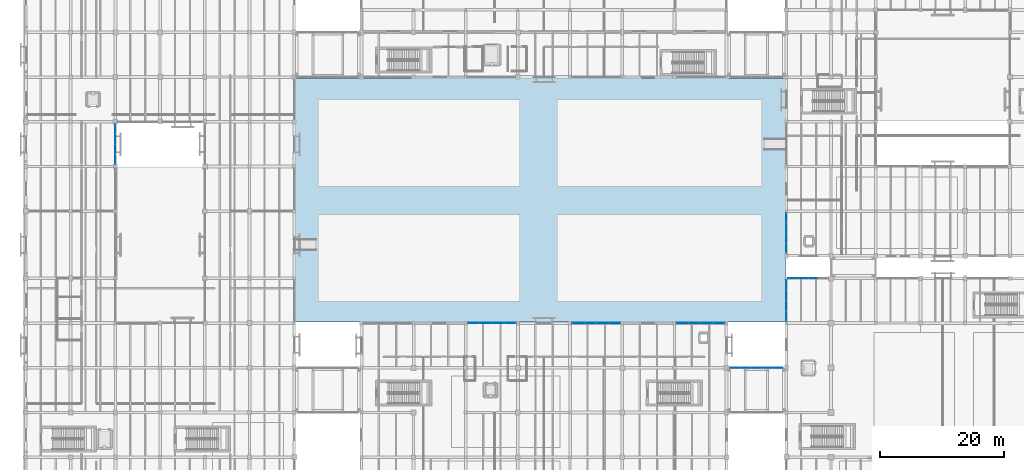
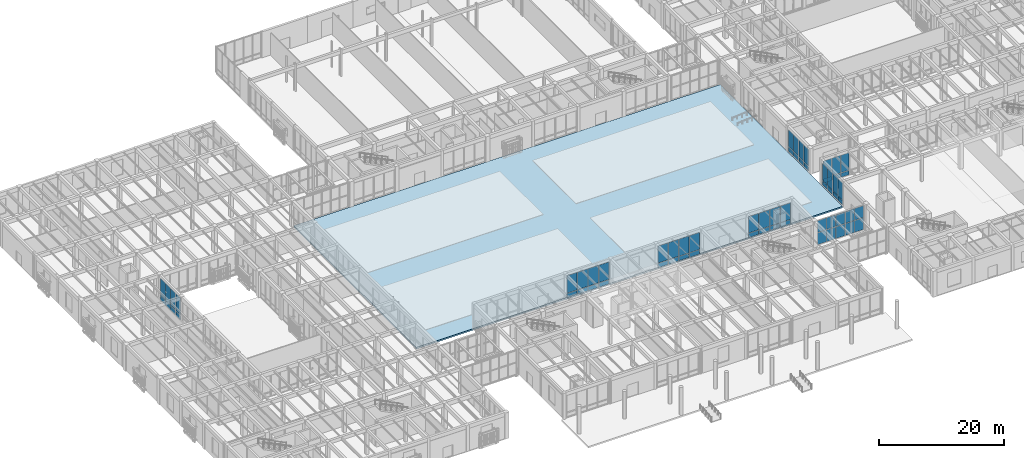
# One storey, part 112 of 169: 64 plates, 1 slab, 8 elements without a shape of their own.
"""IFC4 building model written with IfcOpenShell, lengths in metres."""

from ifc_helpers import new_model, si_unit, direction, frame, origin, origin_2d, place, context, subcontext, project, spatial, polyline, rectangle, outline, extrude, material, layer, layer_set, type_object, element, aggregate, save


model = new_model("IFC4")

# Units and contexts
model_context = context("Model", 3, precision=1e-05, world=origin(), true_north=direction((0.0, 1.0)))
body_context = subcontext(model_context, "Body", "Model", "MODEL_VIEW")
ifc_project = project(units=[si_unit("LENGTHUNIT", "METRE"), si_unit("AREAUNIT", "SQUARE_METRE"), si_unit("VOLUMEUNIT", "CUBIC_METRE"), si_unit("PLANEANGLEUNIT", "RADIAN"), si_unit("MASSUNIT", "GRAM", prefix="KILO")], contexts=[model_context])

# Site, building, storey
site_placement = place(None, origin())
site = spatial("IfcSite", under=ifc_project, at=site_placement, CompositionType="ELEMENT")
building_placement = place(site_placement, origin())
building = spatial("IfcBuilding", under=site, at=building_placement, Name="Mazaris Harbour Polytechnic", CompositionType="ELEMENT")
storey_placement = place(building_placement, origin())
storey = spatial("IfcBuildingStorey", under=building, at=storey_placement, Name="L00", CompositionType="ELEMENT", Elevation=0.0)

# Curtain wall, plates
ifc_material_1 = material(Name="Anodised Bronze Aluminium and Low-E Glass", Category="aluminium")
ifc_layer_1 = layer(ifc_material_1, 0.159912109375, Name="Anodised Bronze Aluminium and Low-E Glass")
ifc_layer_set_1 = layer_set([ifc_layer_1], Name="Anodised Bronze Aluminium and Low-E Glass")
curtain_wall_type_1 = type_object("IfcCurtainWallType", Name="Cloister Court Curtain Wall", PredefinedType="NOTDEFINED", material=ifc_layer_set_1)
curtain_wall_1_placement = place(storey_placement, origin())
curtain_wall_1 = element("IfcCurtainWall", 1, at=curtain_wall_1_placement, inside=storey, type_object=curtain_wall_type_1, Name="V2 L00 Curtain Wall 37", PredefinedType="NOTDEFINED")
ifc_material_2 = material(Name="Low-E Double Glazing", Category="glass")
ifc_layer_2 = layer(ifc_material_2, 0.028076171875, Name="Low-E Double Glazing")
ifc_layer_set_2 = layer_set([ifc_layer_2], Name="Low-E Double Glazing")
plate_type_1 = type_object("IfcPlateType", Name="Low-E Vision Glass Panel 28", PredefinedType="CURTAIN_PANEL", material=ifc_layer_set_2)
plate_1_placement = place(storey_placement, frame((123.482666015625, 43.199951171875, 0.080078125), z_axis=(0.0, 0.0, 1.0), x_axis=(1.0, 0.0, 0.0)))
plate_1 = element("IfcPlate", 2, at=plate_1_placement, type_object=plate_type_1, Name="CW-02 panel 1.1", PredefinedType="CURTAIN_PANEL", context=body_context, shape_type="SweptSolid", body=[
    extrude(rectangle(XDim=1.521484375, YDim=0.028076171875, at=origin_2d()), origin(), (0.0, 0.0, 1.0), 0.830078125),
])
plate_2_placement = place(storey_placement, frame((123.482666015625, 43.199951171875, 0.989990234375), z_axis=(0.0, 0.0, 1.0), x_axis=(1.0, 0.0, 0.0)))
plate_2 = element("IfcPlate", 3, at=plate_2_placement, type_object=plate_type_1, Name="CW-02 panel 1.2", PredefinedType="CURTAIN_PANEL", context=body_context, shape_type="SweptSolid", body=[
    extrude(rectangle(XDim=1.521484375, YDim=0.028076171875, at=origin_2d()), origin(), (0.0, 0.0, 1.0), 3.419921875),
])
plate_3_placement = place(storey_placement, frame((125.104248046875, 43.199951171875, 0.080078125), z_axis=(0.0, 0.0, 1.0), x_axis=(1.0, 0.0, 0.0)))
plate_3 = element("IfcPlate", 4, at=plate_3_placement, type_object=plate_type_1, Name="CW-02 panel 2.1", PredefinedType="CURTAIN_PANEL", context=body_context, shape_type="SweptSolid", body=[
    extrude(rectangle(XDim=1.5615234375, YDim=0.028076171875, at=origin_2d()), origin(), (0.0, 0.0, 1.0), 0.830078125),
])
plate_4_placement = place(storey_placement, frame((125.104248046875, 43.199951171875, 0.989990234375), z_axis=(0.0, 0.0, 1.0), x_axis=(1.0, 0.0, 0.0)))
plate_4 = element("IfcPlate", 5, at=plate_4_placement, type_object=plate_type_1, Name="CW-02 panel 2.2", PredefinedType="CURTAIN_PANEL", context=body_context, shape_type="SweptSolid", body=[
    extrude(rectangle(XDim=1.5615234375, YDim=0.028076171875, at=origin_2d()), origin(), (0.0, 0.0, 1.0), 3.419921875),
])
plate_5_placement = place(storey_placement, frame((126.745849609375, 43.199951171875, 0.080078125), z_axis=(0.0, 0.0, 1.0), x_axis=(1.0, 0.0, 0.0)))
plate_5 = element("IfcPlate", 6, at=plate_5_placement, type_object=plate_type_1, Name="CW-02 panel 3.1", PredefinedType="CURTAIN_PANEL", context=body_context, shape_type="SweptSolid", body=[
    extrude(rectangle(XDim=1.5615234375, YDim=0.028076171875, at=origin_2d()), origin(), (0.0, 0.0, 1.0), 0.830078125),
])
plate_6_placement = place(storey_placement, frame((126.745849609375, 43.199951171875, 0.989990234375), z_axis=(0.0, 0.0, 1.0), x_axis=(1.0, 0.0, 0.0)))
plate_6 = element("IfcPlate", 7, at=plate_6_placement, type_object=plate_type_1, Name="CW-02 panel 3.2", PredefinedType="CURTAIN_PANEL", context=body_context, shape_type="SweptSolid", body=[
    extrude(rectangle(XDim=1.5615234375, YDim=0.028076171875, at=origin_2d()), origin(), (0.0, 0.0, 1.0), 3.419921875),
])
aggregate(curtain_wall_1, [plate_1, plate_2, plate_3, plate_4, plate_5, plate_6])

curtain_wall_2_placement = place(storey_placement, origin())
curtain_wall_2 = element("IfcCurtainWall", 8, at=curtain_wall_2_placement, inside=storey, type_object=curtain_wall_type_1, Name="V2 L00 Curtain Wall 42", PredefinedType="NOTDEFINED")
plate_7_placement = place(storey_placement, frame((122.39990234375, 37.07958984375, 0.080078125), z_axis=(0.0, 0.0, 1.0), x_axis=(0.0, 1.0, 0.0)))
plate_7 = element("IfcPlate", 9, at=plate_7_placement, type_object=plate_type_1, Name="CW-02 panel 1.1", PredefinedType="CURTAIN_PANEL", context=body_context, shape_type="SweptSolid", body=[
    extrude(rectangle(XDim=1.565185546875, YDim=0.028076171875, at=origin_2d()), origin(), (0.0, 0.0, 1.0), 0.830078125),
])
plate_8_placement = place(storey_placement, frame((122.39990234375, 37.07958984375, 0.989990234375), z_axis=(0.0, 0.0, 1.0), x_axis=(0.0, 1.0, 0.0)))
plate_8 = element("IfcPlate", 10, at=plate_8_placement, type_object=plate_type_1, Name="CW-02 panel 1.2", PredefinedType="CURTAIN_PANEL", context=body_context, shape_type="SweptSolid", body=[
    extrude(rectangle(XDim=1.565185546875, YDim=0.028076171875, at=origin_2d()), origin(), (0.0, 0.0, 1.0), 3.3701171875),
])
plate_9_placement = place(storey_placement, frame((122.39990234375, 38.744873046875, 0.080078125), z_axis=(0.0, 0.0, 1.0), x_axis=(0.0, 1.0, 0.0)))
plate_9 = element("IfcPlate", 11, at=plate_9_placement, type_object=plate_type_1, Name="CW-02 panel 2.1", PredefinedType="CURTAIN_PANEL", context=body_context, shape_type="SweptSolid", body=[
    extrude(rectangle(XDim=1.605224609375, YDim=0.028076171875, at=origin_2d()), origin(), (0.0, 0.0, 1.0), 0.830078125),
])
plate_10_placement = place(storey_placement, frame((122.39990234375, 38.744873046875, 0.989990234375), z_axis=(0.0, 0.0, 1.0), x_axis=(0.0, 1.0, 0.0)))
plate_10 = element("IfcPlate", 12, at=plate_10_placement, type_object=plate_type_1, Name="CW-02 panel 2.2", PredefinedType="CURTAIN_PANEL", context=body_context, shape_type="SweptSolid", body=[
    extrude(rectangle(XDim=1.605224609375, YDim=0.028076171875, at=origin_2d()), origin(), (0.0, 0.0, 1.0), 3.3701171875),
])
plate_11_placement = place(storey_placement, frame((122.39990234375, 40.43017578125, 0.080078125), z_axis=(0.0, 0.0, 1.0), x_axis=(0.0, 1.0, 0.0)))
plate_11 = element("IfcPlate", 13, at=plate_11_placement, type_object=plate_type_1, Name="CW-02 panel 3.1", PredefinedType="CURTAIN_PANEL", context=body_context, shape_type="SweptSolid", body=[
    extrude(rectangle(XDim=1.605224609375, YDim=0.028076171875, at=origin_2d()), origin(), (0.0, 0.0, 1.0), 0.830078125),
])
plate_12_placement = place(storey_placement, frame((122.39990234375, 40.43017578125, 0.989990234375), z_axis=(0.0, 0.0, 1.0), x_axis=(0.0, 1.0, 0.0)))
plate_12 = element("IfcPlate", 14, at=plate_12_placement, type_object=plate_type_1, Name="CW-02 panel 3.2", PredefinedType="CURTAIN_PANEL", context=body_context, shape_type="SweptSolid", body=[
    extrude(rectangle(XDim=1.605224609375, YDim=0.028076171875, at=origin_2d()), origin(), (0.0, 0.0, 1.0), 3.3701171875),
])
plate_13_placement = place(storey_placement, frame((122.39990234375, 42.095458984375, 0.080078125), z_axis=(0.0, 0.0, 1.0), x_axis=(0.0, 1.0, 0.0)))
plate_13 = element("IfcPlate", 15, at=plate_13_placement, type_object=plate_type_1, Name="CW-02 panel 4.1", PredefinedType="CURTAIN_PANEL", context=body_context, shape_type="SweptSolid", body=[
    extrude(rectangle(XDim=1.565185546875, YDim=0.028076171875, at=origin_2d()), origin(), (0.0, 0.0, 1.0), 0.830078125),
])
plate_14_placement = place(storey_placement, frame((122.39990234375, 42.095458984375, 0.989990234375), z_axis=(0.0, 0.0, 1.0), x_axis=(0.0, 1.0, 0.0)))
plate_14 = element("IfcPlate", 16, at=plate_14_placement, type_object=plate_type_1, Name="CW-02 panel 4.2", PredefinedType="CURTAIN_PANEL", context=body_context, shape_type="SweptSolid", body=[
    extrude(rectangle(XDim=1.565185546875, YDim=0.028076171875, at=origin_2d()), origin(), (0.0, 0.0, 1.0), 3.3701171875),
])
aggregate(curtain_wall_2, [plate_7, plate_8, plate_9, plate_10, plate_11, plate_12, plate_13, plate_14])

curtain_wall_3_placement = place(storey_placement, origin())
curtain_wall_3 = element("IfcCurtainWall", 17, at=curtain_wall_3_placement, inside=storey, type_object=curtain_wall_type_1, Name="V3 L00 Curtain Wall 65", PredefinedType="NOTDEFINED")
plate_15_placement = place(storey_placement, frame((72.09521484375, 36.0, 0.080078125), z_axis=(0.0, 0.0, 1.0), x_axis=(1.0, 0.0, 0.0)))
plate_15 = element("IfcPlate", 18, at=plate_15_placement, type_object=plate_type_1, Name="CW-02 panel 1.1", PredefinedType="CURTAIN_PANEL", context=body_context, shape_type="SweptSolid", body=[
    extrude(rectangle(XDim=1.846435546875, YDim=0.028076171875, at=origin_2d()), origin(), (0.0, 0.0, 1.0), 0.830078125),
])
plate_16_placement = place(storey_placement, frame((72.09521484375, 36.0, 0.989990234375), z_axis=(0.0, 0.0, 1.0), x_axis=(1.0, 0.0, 0.0)))
plate_16 = element("IfcPlate", 19, at=plate_16_placement, type_object=plate_type_1, Name="CW-02 panel 1.2", PredefinedType="CURTAIN_PANEL", context=body_context, shape_type="SweptSolid", body=[
    extrude(rectangle(XDim=1.846435546875, YDim=0.028076171875, at=origin_2d()), origin(), (0.0, 0.0, 1.0), 3.419921875),
])
plate_17_placement = place(storey_placement, frame((74.041748046875, 36.0, 0.080078125), z_axis=(0.0, 0.0, 1.0), x_axis=(1.0, 0.0, 0.0)))
plate_17 = element("IfcPlate", 20, at=plate_17_placement, type_object=plate_type_1, Name="CW-02 panel 2.1", PredefinedType="CURTAIN_PANEL", context=body_context, shape_type="SweptSolid", body=[
    extrude(rectangle(XDim=1.886474609375, YDim=0.028076171875, at=origin_2d()), origin(), (0.0, 0.0, 1.0), 0.830078125),
])
plate_18_placement = place(storey_placement, frame((74.041748046875, 36.0, 0.989990234375), z_axis=(0.0, 0.0, 1.0), x_axis=(1.0, 0.0, 0.0)))
plate_18 = element("IfcPlate", 21, at=plate_18_placement, type_object=plate_type_1, Name="CW-02 panel 2.2", PredefinedType="CURTAIN_PANEL", context=body_context, shape_type="SweptSolid", body=[
    extrude(rectangle(XDim=1.886474609375, YDim=0.028076171875, at=origin_2d()), origin(), (0.0, 0.0, 1.0), 3.419921875),
])
plate_19_placement = place(storey_placement, frame((76.00830078125, 36.0, 0.080078125), z_axis=(0.0, 0.0, 1.0), x_axis=(1.0, 0.0, 0.0)))
plate_19 = element("IfcPlate", 22, at=plate_19_placement, type_object=plate_type_1, Name="CW-02 panel 3.1", PredefinedType="CURTAIN_PANEL", context=body_context, shape_type="SweptSolid", body=[
    extrude(rectangle(XDim=1.886474609375, YDim=0.028076171875, at=origin_2d()), origin(), (0.0, 0.0, 1.0), 0.830078125),
])
plate_20_placement = place(storey_placement, frame((76.00830078125, 36.0, 0.989990234375), z_axis=(0.0, 0.0, 1.0), x_axis=(1.0, 0.0, 0.0)))
plate_20 = element("IfcPlate", 23, at=plate_20_placement, type_object=plate_type_1, Name="CW-02 panel 3.2", PredefinedType="CURTAIN_PANEL", context=body_context, shape_type="SweptSolid", body=[
    extrude(rectangle(XDim=1.886474609375, YDim=0.028076171875, at=origin_2d()), origin(), (0.0, 0.0, 1.0), 3.419921875),
])
plate_21_placement = place(storey_placement, frame((77.954833984375, 36.0, 0.080078125), z_axis=(0.0, 0.0, 1.0), x_axis=(1.0, 0.0, 0.0)))
plate_21 = element("IfcPlate", 24, at=plate_21_placement, type_object=plate_type_1, Name="CW-02 panel 4.1", PredefinedType="CURTAIN_PANEL", context=body_context, shape_type="SweptSolid", body=[
    extrude(rectangle(XDim=1.846435546875, YDim=0.028076171875, at=origin_2d()), origin(), (0.0, 0.0, 1.0), 0.830078125),
])
plate_22_placement = place(storey_placement, frame((77.954833984375, 36.0, 0.989990234375), z_axis=(0.0, 0.0, 1.0), x_axis=(1.0, 0.0, 0.0)))
plate_22 = element("IfcPlate", 25, at=plate_22_placement, type_object=plate_type_1, Name="CW-02 panel 4.2", PredefinedType="CURTAIN_PANEL", context=body_context, shape_type="SweptSolid", body=[
    extrude(rectangle(XDim=1.846435546875, YDim=0.028076171875, at=origin_2d()), origin(), (0.0, 0.0, 1.0), 3.419921875),
])
aggregate(curtain_wall_3, [plate_15, plate_16, plate_17, plate_18, plate_19, plate_20, plate_21, plate_22])

curtain_wall_4_placement = place(storey_placement, origin())
curtain_wall_4 = element("IfcCurtainWall", 26, at=curtain_wall_4_placement, inside=storey, type_object=curtain_wall_type_1, Name="V3 L00 Curtain Wall 66", PredefinedType="NOTDEFINED")
plate_23_placement = place(storey_placement, frame((88.895263671875, 36.0, 0.080078125), z_axis=(0.0, 0.0, 1.0), x_axis=(1.0, 0.0, 0.0)))
plate_23 = element("IfcPlate", 27, at=plate_23_placement, type_object=plate_type_1, Name="CW-02 panel 1.1", PredefinedType="CURTAIN_PANEL", context=body_context, shape_type="SweptSolid", body=[
    extrude(rectangle(XDim=1.846435546875, YDim=0.028076171875, at=origin_2d()), origin(), (0.0, 0.0, 1.0), 0.830078125),
])
plate_24_placement = place(storey_placement, frame((88.895263671875, 36.0, 0.98974609375), z_axis=(0.0, 0.0, 1.0), x_axis=(1.0, 0.0, 0.0)))
plate_24 = element("IfcPlate", 28, at=plate_24_placement, type_object=plate_type_1, Name="CW-02 panel 1.2", PredefinedType="CURTAIN_PANEL", context=body_context, shape_type="SweptSolid", body=[
    extrude(rectangle(XDim=1.846435546875, YDim=0.028076171875, at=origin_2d()), origin(), (0.0, 0.0, 1.0), 3.320068359375),
])
plate_25_placement = place(storey_placement, frame((90.841796875, 36.0, 0.080078125), z_axis=(0.0, 0.0, 1.0), x_axis=(1.0, 0.0, 0.0)))
plate_25 = element("IfcPlate", 29, at=plate_25_placement, type_object=plate_type_1, Name="CW-02 panel 2.1", PredefinedType="CURTAIN_PANEL", context=body_context, shape_type="SweptSolid", body=[
    extrude(rectangle(XDim=1.886474609375, YDim=0.028076171875, at=origin_2d()), origin(), (0.0, 0.0, 1.0), 0.830078125),
])
plate_26_placement = place(storey_placement, frame((90.841796875, 36.0, 0.98974609375), z_axis=(0.0, 0.0, 1.0), x_axis=(1.0, 0.0, 0.0)))
plate_26 = element("IfcPlate", 30, at=plate_26_placement, type_object=plate_type_1, Name="CW-02 panel 2.2", PredefinedType="CURTAIN_PANEL", context=body_context, shape_type="SweptSolid", body=[
    extrude(rectangle(XDim=1.886474609375, YDim=0.028076171875, at=origin_2d()), origin(), (0.0, 0.0, 1.0), 3.320068359375),
])
plate_27_placement = place(storey_placement, frame((92.808349609375, 36.0, 0.080078125), z_axis=(0.0, 0.0, 1.0), x_axis=(1.0, 0.0, 0.0)))
plate_27 = element("IfcPlate", 31, at=plate_27_placement, type_object=plate_type_1, Name="CW-02 panel 3.1", PredefinedType="CURTAIN_PANEL", context=body_context, shape_type="SweptSolid", body=[
    extrude(rectangle(XDim=1.886474609375, YDim=0.028076171875, at=origin_2d()), origin(), (0.0, 0.0, 1.0), 0.830078125),
])
plate_28_placement = place(storey_placement, frame((92.808349609375, 36.0, 0.98974609375), z_axis=(0.0, 0.0, 1.0), x_axis=(1.0, 0.0, 0.0)))
plate_28 = element("IfcPlate", 32, at=plate_28_placement, type_object=plate_type_1, Name="CW-02 panel 3.2", PredefinedType="CURTAIN_PANEL", context=body_context, shape_type="SweptSolid", body=[
    extrude(rectangle(XDim=1.886474609375, YDim=0.028076171875, at=origin_2d()), origin(), (0.0, 0.0, 1.0), 3.320068359375),
])
plate_29_placement = place(storey_placement, frame((94.754638671875, 36.0, 0.080078125), z_axis=(0.0, 0.0, 1.0), x_axis=(1.0, 0.0, 0.0)))
plate_29 = element("IfcPlate", 33, at=plate_29_placement, type_object=plate_type_1, Name="CW-02 panel 4.1", PredefinedType="CURTAIN_PANEL", context=body_context, shape_type="SweptSolid", body=[
    extrude(rectangle(XDim=1.846435546875, YDim=0.028076171875, at=origin_2d()), origin(), (0.0, 0.0, 1.0), 0.830078125),
])
plate_30_placement = place(storey_placement, frame((94.754638671875, 36.0, 0.98974609375), z_axis=(0.0, 0.0, 1.0), x_axis=(1.0, 0.0, 0.0)))
plate_30 = element("IfcPlate", 34, at=plate_30_placement, type_object=plate_type_1, Name="CW-02 panel 4.2", PredefinedType="CURTAIN_PANEL", context=body_context, shape_type="SweptSolid", body=[
    extrude(rectangle(XDim=1.846435546875, YDim=0.028076171875, at=origin_2d()), origin(), (0.0, 0.0, 1.0), 3.320068359375),
])
aggregate(curtain_wall_4, [plate_23, plate_24, plate_25, plate_26, plate_27, plate_28, plate_29, plate_30])

curtain_wall_5_placement = place(storey_placement, origin())
curtain_wall_5 = element("IfcCurtainWall", 35, at=curtain_wall_5_placement, inside=storey, type_object=curtain_wall_type_1, Name="V3 L00 Curtain Wall 67", PredefinedType="NOTDEFINED")
plate_31_placement = place(storey_placement, frame((105.6953125, 36.0, 0.080078125), z_axis=(0.0, 0.0, 1.0), x_axis=(1.0, 0.0, 0.0)))
plate_31 = element("IfcPlate", 36, at=plate_31_placement, type_object=plate_type_1, Name="CW-02 panel 1.1", PredefinedType="CURTAIN_PANEL", context=body_context, shape_type="SweptSolid", body=[
    extrude(rectangle(XDim=1.846435546875, YDim=0.028076171875, at=origin_2d()), origin(), (0.0, 0.0, 1.0), 0.830078125),
])
plate_32_placement = place(storey_placement, frame((105.6953125, 36.0, 0.990234375), z_axis=(0.0, 0.0, 1.0), x_axis=(1.0, 0.0, 0.0)))
plate_32 = element("IfcPlate", 37, at=plate_32_placement, type_object=plate_type_1, Name="CW-02 panel 1.2", PredefinedType="CURTAIN_PANEL", context=body_context, shape_type="SweptSolid", body=[
    extrude(rectangle(XDim=1.846435546875, YDim=0.028076171875, at=origin_2d()), origin(), (0.0, 0.0, 1.0), 3.219970703125),
])
plate_33_placement = place(storey_placement, frame((107.641845703125, 36.0, 0.080078125), z_axis=(0.0, 0.0, 1.0), x_axis=(1.0, 0.0, 0.0)))
plate_33 = element("IfcPlate", 38, at=plate_33_placement, type_object=plate_type_1, Name="CW-02 panel 2.1", PredefinedType="CURTAIN_PANEL", context=body_context, shape_type="SweptSolid", body=[
    extrude(rectangle(XDim=1.886474609375, YDim=0.028076171875, at=origin_2d()), origin(), (0.0, 0.0, 1.0), 0.830078125),
])
plate_34_placement = place(storey_placement, frame((107.641845703125, 36.0, 0.990234375), z_axis=(0.0, 0.0, 1.0), x_axis=(1.0, 0.0, 0.0)))
plate_34 = element("IfcPlate", 39, at=plate_34_placement, type_object=plate_type_1, Name="CW-02 panel 2.2", PredefinedType="CURTAIN_PANEL", context=body_context, shape_type="SweptSolid", body=[
    extrude(rectangle(XDim=1.886474609375, YDim=0.028076171875, at=origin_2d()), origin(), (0.0, 0.0, 1.0), 3.219970703125),
])
plate_35_placement = place(storey_placement, frame((109.608154296875, 36.0, 0.080078125), z_axis=(0.0, 0.0, 1.0), x_axis=(1.0, 0.0, 0.0)))
plate_35 = element("IfcPlate", 40, at=plate_35_placement, type_object=plate_type_1, Name="CW-02 panel 3.1", PredefinedType="CURTAIN_PANEL", context=body_context, shape_type="SweptSolid", body=[
    extrude(rectangle(XDim=1.886474609375, YDim=0.028076171875, at=origin_2d()), origin(), (0.0, 0.0, 1.0), 0.830078125),
])
plate_36_placement = place(storey_placement, frame((109.608154296875, 36.0, 0.990234375), z_axis=(0.0, 0.0, 1.0), x_axis=(1.0, 0.0, 0.0)))
plate_36 = element("IfcPlate", 41, at=plate_36_placement, type_object=plate_type_1, Name="CW-02 panel 3.2", PredefinedType="CURTAIN_PANEL", context=body_context, shape_type="SweptSolid", body=[
    extrude(rectangle(XDim=1.886474609375, YDim=0.028076171875, at=origin_2d()), origin(), (0.0, 0.0, 1.0), 3.219970703125),
])
plate_37_placement = place(storey_placement, frame((111.5546875, 36.0, 0.080078125), z_axis=(0.0, 0.0, 1.0), x_axis=(1.0, 0.0, 0.0)))
plate_37 = element("IfcPlate", 42, at=plate_37_placement, type_object=plate_type_1, Name="CW-02 panel 4.1", PredefinedType="CURTAIN_PANEL", context=body_context, shape_type="SweptSolid", body=[
    extrude(rectangle(XDim=1.846435546875, YDim=0.028076171875, at=origin_2d()), origin(), (0.0, 0.0, 1.0), 0.830078125),
])
plate_38_placement = place(storey_placement, frame((111.5546875, 36.0, 0.990234375), z_axis=(0.0, 0.0, 1.0), x_axis=(1.0, 0.0, 0.0)))
plate_38 = element("IfcPlate", 43, at=plate_38_placement, type_object=plate_type_1, Name="CW-02 panel 4.2", PredefinedType="CURTAIN_PANEL", context=body_context, shape_type="SweptSolid", body=[
    extrude(rectangle(XDim=1.846435546875, YDim=0.028076171875, at=origin_2d()), origin(), (0.0, 0.0, 1.0), 3.219970703125),
])
aggregate(curtain_wall_5, [plate_31, plate_32, plate_33, plate_34, plate_35, plate_36, plate_37, plate_38])

curtain_wall_6_placement = place(storey_placement, origin())
curtain_wall_6 = element("IfcCurtainWall", 44, at=curtain_wall_6_placement, inside=storey, type_object=curtain_wall_type_1, Name="V4 L00 Curtain Wall 106", PredefinedType="NOTDEFINED")
plate_39_placement = place(storey_placement, frame((14.39990234375, 62.354736328125, 0.080078125), z_axis=(0.0, 0.0, 1.0), x_axis=(0.0, 1.0, 0.0)))
plate_39 = element("IfcPlate", 45, at=plate_39_placement, type_object=plate_type_1, Name="CW-02 panel 1.1", PredefinedType="CURTAIN_PANEL", context=body_context, shape_type="SweptSolid", body=[
    extrude(rectangle(XDim=1.51513671875, YDim=0.028076171875, at=origin_2d()), origin(), (0.0, 0.0, 1.0), 0.830078125),
])
plate_40_placement = place(storey_placement, frame((14.39990234375, 62.354736328125, 0.989990234375), z_axis=(0.0, 0.0, 1.0), x_axis=(0.0, 1.0, 0.0)))
plate_40 = element("IfcPlate", 46, at=plate_40_placement, type_object=plate_type_1, Name="CW-02 panel 1.2", PredefinedType="CURTAIN_PANEL", context=body_context, shape_type="SweptSolid", body=[
    extrude(rectangle(XDim=1.51513671875, YDim=0.028076171875, at=origin_2d()), origin(), (0.0, 0.0, 1.0), 3.419921875),
])
plate_41_placement = place(storey_placement, frame((14.39990234375, 63.969970703125, 0.080078125), z_axis=(0.0, 0.0, 1.0), x_axis=(0.0, 1.0, 0.0)))
plate_41 = element("IfcPlate", 47, at=plate_41_placement, type_object=plate_type_1, Name="CW-02 panel 2.1", PredefinedType="CURTAIN_PANEL", context=body_context, shape_type="SweptSolid", body=[
    extrude(rectangle(XDim=1.55517578125, YDim=0.028076171875, at=origin_2d()), origin(), (0.0, 0.0, 1.0), 0.830078125),
])
plate_42_placement = place(storey_placement, frame((14.39990234375, 63.969970703125, 0.989990234375), z_axis=(0.0, 0.0, 1.0), x_axis=(0.0, 1.0, 0.0)))
plate_42 = element("IfcPlate", 48, at=plate_42_placement, type_object=plate_type_1, Name="CW-02 panel 2.2", PredefinedType="CURTAIN_PANEL", context=body_context, shape_type="SweptSolid", body=[
    extrude(rectangle(XDim=1.55517578125, YDim=0.028076171875, at=origin_2d()), origin(), (0.0, 0.0, 1.0), 3.419921875),
])
plate_43_placement = place(storey_placement, frame((14.39990234375, 65.605224609375, 0.080078125), z_axis=(0.0, 0.0, 1.0), x_axis=(0.0, 1.0, 0.0)))
plate_43 = element("IfcPlate", 49, at=plate_43_placement, type_object=plate_type_1, Name="CW-02 panel 3.1", PredefinedType="CURTAIN_PANEL", context=body_context, shape_type="SweptSolid", body=[
    extrude(rectangle(XDim=1.55517578125, YDim=0.028076171875, at=origin_2d()), origin(), (0.0, 0.0, 1.0), 0.830078125),
])
plate_44_placement = place(storey_placement, frame((14.39990234375, 65.605224609375, 0.989990234375), z_axis=(0.0, 0.0, 1.0), x_axis=(0.0, 1.0, 0.0)))
plate_44 = element("IfcPlate", 50, at=plate_44_placement, type_object=plate_type_1, Name="CW-02 panel 3.2", PredefinedType="CURTAIN_PANEL", context=body_context, shape_type="SweptSolid", body=[
    extrude(rectangle(XDim=1.55517578125, YDim=0.028076171875, at=origin_2d()), origin(), (0.0, 0.0, 1.0), 3.419921875),
])
plate_45_placement = place(storey_placement, frame((14.39990234375, 67.220458984375, 0.080078125), z_axis=(0.0, 0.0, 1.0), x_axis=(0.0, 1.0, 0.0)))
plate_45 = element("IfcPlate", 51, at=plate_45_placement, type_object=plate_type_1, Name="CW-02 panel 4.1", PredefinedType="CURTAIN_PANEL", context=body_context, shape_type="SweptSolid", body=[
    extrude(rectangle(XDim=1.51513671875, YDim=0.028076171875, at=origin_2d()), origin(), (0.0, 0.0, 1.0), 0.830078125),
])
plate_46_placement = place(storey_placement, frame((14.39990234375, 67.220458984375, 0.989990234375), z_axis=(0.0, 0.0, 1.0), x_axis=(0.0, 1.0, 0.0)))
plate_46 = element("IfcPlate", 52, at=plate_46_placement, type_object=plate_type_1, Name="CW-02 panel 4.2", PredefinedType="CURTAIN_PANEL", context=body_context, shape_type="SweptSolid", body=[
    extrude(rectangle(XDim=1.51513671875, YDim=0.028076171875, at=origin_2d()), origin(), (0.0, 0.0, 1.0), 3.419921875),
])
aggregate(curtain_wall_6, [plate_39, plate_40, plate_41, plate_42, plate_43, plate_44, plate_45, plate_46])

ifc_material_3 = material(Name="Anodised Bronze Aluminium and Low-E Glass", Category="aluminium")
ifc_layer_3 = layer(ifc_material_3, 0.139892578125, Name="Anodised Bronze Aluminium and Low-E Glass")
ifc_layer_set_3 = layer_set([ifc_layer_3], Name="Anodised Bronze Aluminium and Low-E Glass")
curtain_wall_type_2 = type_object("IfcCurtainWallType", Name="Seismic Link Bridge Glazing", PredefinedType="NOTDEFINED", material=ifc_layer_set_3)
curtain_wall_7_placement = place(storey_placement, origin())
curtain_wall_7 = element("IfcCurtainWall", 53, at=curtain_wall_7_placement, inside=storey, type_object=curtain_wall_type_2, Name="PB-E1 L00 Bridge Glazing", PredefinedType="NOTDEFINED")
plate_47_placement = place(storey_placement, frame((121.035888671875, 28.800048828125, 0.080078125), z_axis=(0.0, 0.0, 1.0), x_axis=(-1.0, 0.0, 0.0)))
plate_47 = element("IfcPlate", 54, at=plate_47_placement, type_object=plate_type_1, Name="CW-05 panel 1.1", PredefinedType="CURTAIN_PANEL", context=body_context, shape_type="SweptSolid", body=[
    extrude(rectangle(XDim=1.60791015625, YDim=0.028076171875, at=origin_2d()), origin(), (0.0, 0.0, 1.0), 2.297607421875),
])
plate_48_placement = place(storey_placement, frame((121.035888671875, 28.800048828125, 2.45751953125), z_axis=(0.0, 0.0, 1.0), x_axis=(-1.0, 0.0, 0.0)))
plate_48 = element("IfcPlate", 55, at=plate_48_placement, type_object=plate_type_1, Name="CW-05 panel 1.2", PredefinedType="CURTAIN_PANEL", context=body_context, shape_type="SweptSolid", body=[
    extrude(rectangle(XDim=1.60791015625, YDim=0.028076171875, at=origin_2d()), origin(), (0.0, 0.0, 1.0), 2.297607421875),
])
plate_49_placement = place(storey_placement, frame((119.327880859375, 28.800048828125, 0.080078125), z_axis=(0.0, 0.0, 1.0), x_axis=(-1.0, 0.0, 0.0)))
plate_49 = element("IfcPlate", 56, at=plate_49_placement, type_object=plate_type_1, Name="CW-05 panel 2.1", PredefinedType="CURTAIN_PANEL", context=body_context, shape_type="SweptSolid", body=[
    extrude(rectangle(XDim=1.64794921875, YDim=0.028076171875, at=origin_2d()), origin(), (0.0, 0.0, 1.0), 2.297607421875),
])
plate_50_placement = place(storey_placement, frame((119.327880859375, 28.800048828125, 2.45751953125), z_axis=(0.0, 0.0, 1.0), x_axis=(-1.0, 0.0, 0.0)))
plate_50 = element("IfcPlate", 57, at=plate_50_placement, type_object=plate_type_1, Name="CW-05 panel 2.2", PredefinedType="CURTAIN_PANEL", context=body_context, shape_type="SweptSolid", body=[
    extrude(rectangle(XDim=1.64794921875, YDim=0.028076171875, at=origin_2d()), origin(), (0.0, 0.0, 1.0), 2.297607421875),
])
plate_51_placement = place(storey_placement, frame((117.60009765625, 28.800048828125, 0.080078125), z_axis=(0.0, 0.0, 1.0), x_axis=(-1.0, 0.0, 0.0)))
plate_51 = element("IfcPlate", 58, at=plate_51_placement, type_object=plate_type_1, Name="CW-05 panel 3.1", PredefinedType="CURTAIN_PANEL", context=body_context, shape_type="SweptSolid", body=[
    extrude(rectangle(XDim=1.64794921875, YDim=0.028076171875, at=origin_2d()), origin(), (0.0, 0.0, 1.0), 2.297607421875),
])
plate_52_placement = place(storey_placement, frame((117.60009765625, 28.800048828125, 2.45751953125), z_axis=(0.0, 0.0, 1.0), x_axis=(-1.0, 0.0, 0.0)))
plate_52 = element("IfcPlate", 59, at=plate_52_placement, type_object=plate_type_1, Name="CW-05 panel 3.2", PredefinedType="CURTAIN_PANEL", context=body_context, shape_type="SweptSolid", body=[
    extrude(rectangle(XDim=1.64794921875, YDim=0.028076171875, at=origin_2d()), origin(), (0.0, 0.0, 1.0), 2.297607421875),
])
plate_53_placement = place(storey_placement, frame((115.8720703125, 28.800048828125, 0.080078125), z_axis=(0.0, 0.0, 1.0), x_axis=(-1.0, 0.0, 0.0)))
plate_53 = element("IfcPlate", 60, at=plate_53_placement, type_object=plate_type_1, Name="CW-05 panel 4.1", PredefinedType="CURTAIN_PANEL", context=body_context, shape_type="SweptSolid", body=[
    extrude(rectangle(XDim=1.64794921875, YDim=0.028076171875, at=origin_2d()), origin(), (0.0, 0.0, 1.0), 2.297607421875),
])
plate_54_placement = place(storey_placement, frame((115.8720703125, 28.800048828125, 2.45751953125), z_axis=(0.0, 0.0, 1.0), x_axis=(-1.0, 0.0, 0.0)))
plate_54 = element("IfcPlate", 61, at=plate_54_placement, type_object=plate_type_1, Name="CW-05 panel 4.2", PredefinedType="CURTAIN_PANEL", context=body_context, shape_type="SweptSolid", body=[
    extrude(rectangle(XDim=1.64794921875, YDim=0.028076171875, at=origin_2d()), origin(), (0.0, 0.0, 1.0), 2.297607421875),
])
plate_55_placement = place(storey_placement, frame((114.1640625, 28.800048828125, 0.080078125), z_axis=(0.0, 0.0, 1.0), x_axis=(-1.0, 0.0, 0.0)))
plate_55 = element("IfcPlate", 62, at=plate_55_placement, type_object=plate_type_1, Name="CW-05 panel 5.1", PredefinedType="CURTAIN_PANEL", context=body_context, shape_type="SweptSolid", body=[
    extrude(rectangle(XDim=1.60791015625, YDim=0.028076171875, at=origin_2d()), origin(), (0.0, 0.0, 1.0), 2.297607421875),
])
plate_56_placement = place(storey_placement, frame((114.1640625, 28.800048828125, 2.45751953125), z_axis=(0.0, 0.0, 1.0), x_axis=(-1.0, 0.0, 0.0)))
plate_56 = element("IfcPlate", 63, at=plate_56_placement, type_object=plate_type_1, Name="CW-05 panel 5.2", PredefinedType="CURTAIN_PANEL", context=body_context, shape_type="SweptSolid", body=[
    extrude(rectangle(XDim=1.60791015625, YDim=0.028076171875, at=origin_2d()), origin(), (0.0, 0.0, 1.0), 2.297607421875),
])
aggregate(curtain_wall_7, [plate_47, plate_48, plate_49, plate_50, plate_51, plate_52, plate_53, plate_54, plate_55, plate_56])

# Slab
ifc_material_4 = material(Name="Concrete C35/45", Category="concrete")
ifc_layer_4 = layer(ifc_material_4, 0.300048828125, Name="Concrete C35/45")
ifc_layer_set_4 = layer_set([ifc_layer_4], Name="Concrete C35/45")
slab_type = type_object("IfcSlabType", Name="RC Podium Slab 300 Exterior", PredefinedType="FLOOR", material=ifc_layer_set_4)
slab_placement = place(storey_placement, frame((0.0, 0.0, -0.300048828125)))
element("IfcSlab", 64, at=slab_placement, inside=storey, type_object=slab_type, Name="Central Planted Courtyard Paving Slab", PredefinedType="FLOOR", context=body_context, shape_type="SweptSolid", body=[
    extrude(outline(polyline([(122.25, 36.14990234375), (122.25, 75.449951171875), (43.35009765625, 75.449951171875), (43.35009765625, 36.14990234375), (122.25, 36.14990234375)])), origin(), (0.0, 0.0, 1.0), 0.300048828125),
])

# Curtain wall, plates
ifc_material_5 = material(Name="Anodised Bronze Aluminium and Low-E Glass", Category="aluminium")
ifc_layer_5 = layer(ifc_material_5, 0.169921875, Name="Anodised Bronze Aluminium and Low-E Glass")
ifc_layer_set_5 = layer_set([ifc_layer_5], Name="Anodised Bronze Aluminium and Low-E Glass")
curtain_wall_type_3 = type_object("IfcCurtainWallType", Name="Studio North-Light Curtain Wall", PredefinedType="NOTDEFINED", material=ifc_layer_set_5)
curtain_wall_8_placement = place(storey_placement, origin())
curtain_wall_8 = element("IfcCurtainWall", 65, at=curtain_wall_8_placement, inside=storey, type_object=curtain_wall_type_3, Name="V5 L00 Curtain Wall 187", PredefinedType="NOTDEFINED")
ifc_material_6 = material(Name="Solar-Control Low-E Glazing", Category="glass")
ifc_layer_6 = layer(ifc_material_6, 0.031982421875, Name="Solar-Control Low-E Glazing")
ifc_layer_set_6 = layer_set([ifc_layer_6], Name="Solar-Control Low-E Glazing")
plate_type_2 = type_object("IfcPlateType", Name="Solar Control Studio Glass Panel 32", PredefinedType="CURTAIN_PANEL", material=ifc_layer_set_6)
plate_57_placement = place(storey_placement, frame((122.39990234375, 48.057861328125, 0.080078125), z_axis=(0.0, 0.0, 1.0), x_axis=(0.0, 1.0, 0.0)))
plate_57 = element("IfcPlate", 66, at=plate_57_placement, type_object=plate_type_2, Name="CW-03 panel 1.1", PredefinedType="CURTAIN_PANEL", context=body_context, shape_type="SweptSolid", body=[
    extrude(rectangle(XDim=1.521484375, YDim=0.031982421875, at=origin_2d()), origin(), (0.0, 0.0, 1.0), 0.830078125),
])
plate_58_placement = place(storey_placement, frame((122.39990234375, 48.057861328125, 0.98974609375), z_axis=(0.0, 0.0, 1.0), x_axis=(0.0, 1.0, 0.0)))
plate_58 = element("IfcPlate", 67, at=plate_58_placement, type_object=plate_type_2, Name="CW-03 panel 1.2", PredefinedType="CURTAIN_PANEL", context=body_context, shape_type="SweptSolid", body=[
    extrude(rectangle(XDim=1.521484375, YDim=0.031982421875, at=origin_2d()), origin(), (0.0, 0.0, 1.0), 3.320068359375),
])
plate_59_placement = place(storey_placement, frame((122.39990234375, 49.67919921875, 0.080078125), z_axis=(0.0, 0.0, 1.0), x_axis=(0.0, 1.0, 0.0)))
plate_59 = element("IfcPlate", 68, at=plate_59_placement, type_object=plate_type_2, Name="CW-03 panel 2.1", PredefinedType="CURTAIN_PANEL", context=body_context, shape_type="SweptSolid", body=[
    extrude(rectangle(XDim=1.5615234375, YDim=0.031982421875, at=origin_2d()), origin(), (0.0, 0.0, 1.0), 0.830078125),
])
plate_60_placement = place(storey_placement, frame((122.39990234375, 49.67919921875, 0.98974609375), z_axis=(0.0, 0.0, 1.0), x_axis=(0.0, 1.0, 0.0)))
plate_60 = element("IfcPlate", 69, at=plate_60_placement, type_object=plate_type_2, Name="CW-03 panel 2.2", PredefinedType="CURTAIN_PANEL", context=body_context, shape_type="SweptSolid", body=[
    extrude(rectangle(XDim=1.5615234375, YDim=0.031982421875, at=origin_2d()), origin(), (0.0, 0.0, 1.0), 3.320068359375),
])
plate_61_placement = place(storey_placement, frame((122.39990234375, 51.32080078125, 0.080078125), z_axis=(0.0, 0.0, 1.0), x_axis=(0.0, 1.0, 0.0)))
plate_61 = element("IfcPlate", 70, at=plate_61_placement, type_object=plate_type_2, Name="CW-03 panel 3.1", PredefinedType="CURTAIN_PANEL", context=body_context, shape_type="SweptSolid", body=[
    extrude(rectangle(XDim=1.5615234375, YDim=0.031982421875, at=origin_2d()), origin(), (0.0, 0.0, 1.0), 0.830078125),
])
plate_62_placement = place(storey_placement, frame((122.39990234375, 51.32080078125, 0.98974609375), z_axis=(0.0, 0.0, 1.0), x_axis=(0.0, 1.0, 0.0)))
plate_62 = element("IfcPlate", 71, at=plate_62_placement, type_object=plate_type_2, Name="CW-03 panel 3.2", PredefinedType="CURTAIN_PANEL", context=body_context, shape_type="SweptSolid", body=[
    extrude(rectangle(XDim=1.5615234375, YDim=0.031982421875, at=origin_2d()), origin(), (0.0, 0.0, 1.0), 3.320068359375),
])
plate_63_placement = place(storey_placement, frame((122.39990234375, 52.942138671875, 0.080078125), z_axis=(0.0, 0.0, 1.0), x_axis=(0.0, 1.0, 0.0)))
plate_63 = element("IfcPlate", 72, at=plate_63_placement, type_object=plate_type_2, Name="CW-03 panel 4.1", PredefinedType="CURTAIN_PANEL", context=body_context, shape_type="SweptSolid", body=[
    extrude(rectangle(XDim=1.521484375, YDim=0.031982421875, at=origin_2d()), origin(), (0.0, 0.0, 1.0), 0.830078125),
])
plate_64_placement = place(storey_placement, frame((122.39990234375, 52.942138671875, 0.98974609375), z_axis=(0.0, 0.0, 1.0), x_axis=(0.0, 1.0, 0.0)))
plate_64 = element("IfcPlate", 73, at=plate_64_placement, type_object=plate_type_2, Name="CW-03 panel 4.2", PredefinedType="CURTAIN_PANEL", context=body_context, shape_type="SweptSolid", body=[
    extrude(rectangle(XDim=1.521484375, YDim=0.031982421875, at=origin_2d()), origin(), (0.0, 0.0, 1.0), 3.320068359375),
])
aggregate(curtain_wall_8, [plate_57, plate_58, plate_59, plate_60, plate_61, plate_62, plate_63, plate_64])

save(model, "model.ifc")
